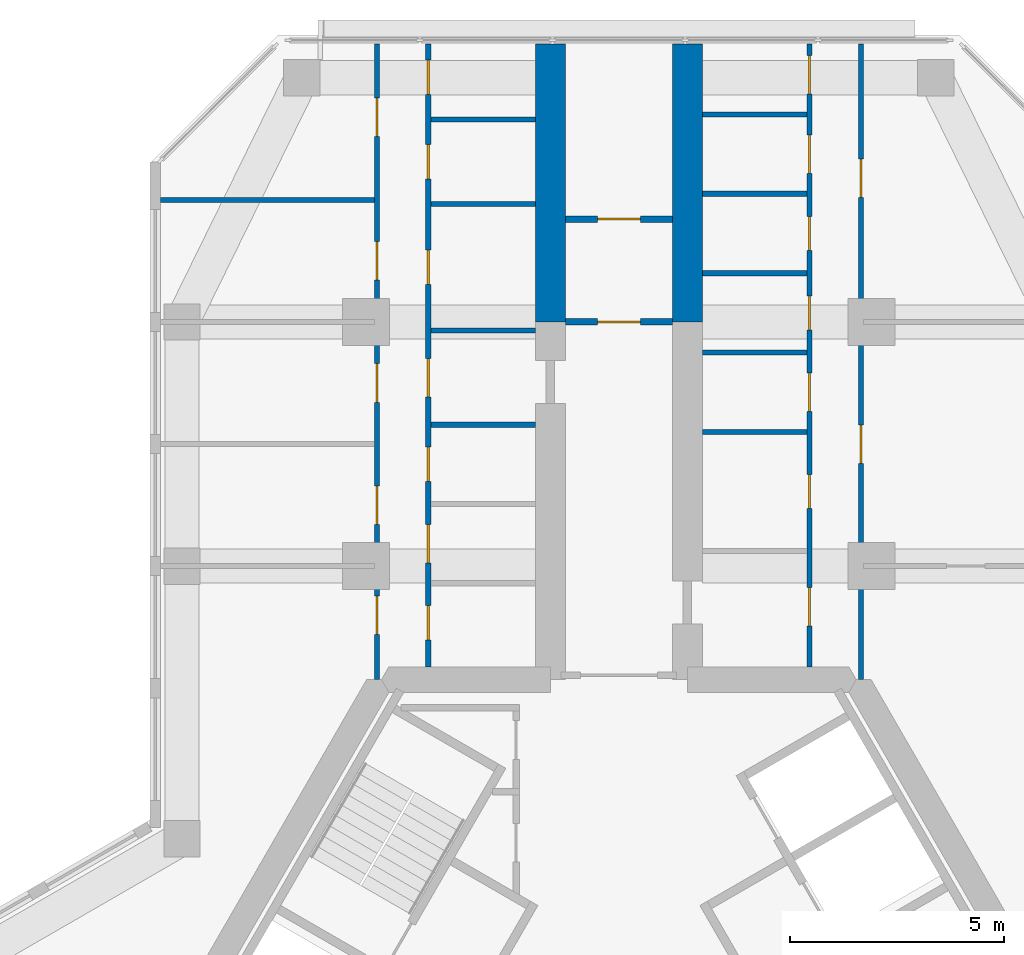
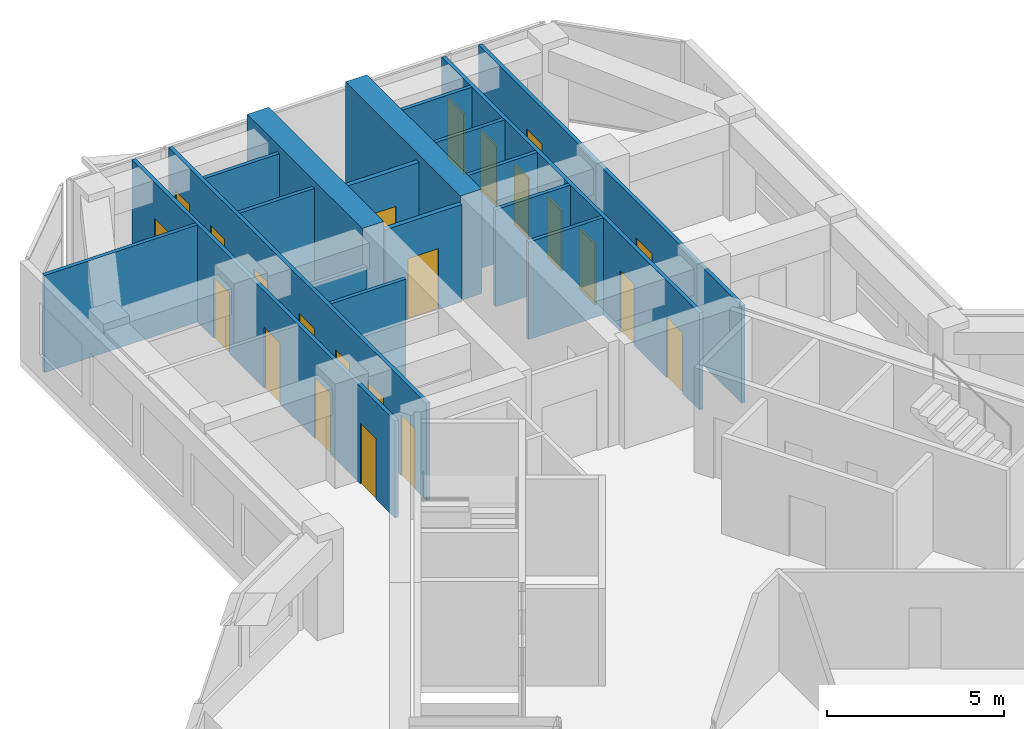
# One storey, part 14 of 16: 23 doors, 18 walls, 23 openings.
"""IFC4 building model written with IfcOpenShell, lengths in metres."""

from ifc_helpers import new_model, si_unit, direction, frame, frame_2d, origin, place, context, subcontext, project, spatial, rectangle, extrude, material, layer, layer_set, type_object, element, fill, save


model = new_model("IFC4")

# Units and contexts
model_context = context("Model", 3, precision=1e-05, world=origin(), true_north=direction((0.0, 1.0)))
body_context = subcontext(model_context, "Body", "Model", "MODEL_VIEW")
ifc_project = project(units=[si_unit("LENGTHUNIT", "METRE"), si_unit("AREAUNIT", "SQUARE_METRE"), si_unit("VOLUMEUNIT", "CUBIC_METRE"), si_unit("PLANEANGLEUNIT", "RADIAN"), si_unit("MASSUNIT", "GRAM", prefix="KILO")], contexts=[model_context])

# Site, building, storey
site_placement = place(None, origin())
site = spatial("IfcSite", under=ifc_project, at=site_placement, CompositionType="ELEMENT")
building_placement = place(site_placement, origin())
building = spatial("IfcBuilding", under=site, at=building_placement, Name="Kosmar Iwan School Tower", CompositionType="ELEMENT")
storey_placement = place(building_placement, frame((0.0, 0.0, 246.0)))
storey = spatial("IfcBuildingStorey", under=building, at=storey_placement, Name="L62", CompositionType="ELEMENT", Elevation=246.0)

# Walls
ifc_material_1 = material(Name="Concrete C50/60", Category="concrete")
ifc_layer_1 = layer(ifc_material_1, 0.699951171875)
ifc_layer_set_1 = layer_set([ifc_layer_1], Name="Corridor buttress wall 700")
wall_type_1 = type_object("IfcWallType", Name="Corridor buttress wall 700", PredefinedType="SHEAR", material=ifc_layer_set_1)
for number, where, z_axis, x_axis, name in (
    (1, (-1.60009765625, 17.949951171875, 0.0), (0.0, 0.0, 1.0), (0.0, 1.0, 0.0), "Corridor wall AL bay 2"),
    (2, (1.60009765625, 17.949951171875, 0.0), (0.0, 0.0, 1.0), (0.0, 1.0, 0.0), "Corridor wall AR bay 2"),
):
    element("IfcWall", number, at=place(storey_placement, frame(where, z_axis=z_axis, x_axis=x_axis)), inside=storey, type_object=wall_type_1, Name=name, PredefinedType="SHEAR", context=body_context, shape_type="SweptSolid", body=[
        extrude(rectangle(XDim=6.4951171875, YDim=0.699951171875, at=frame_2d((3.24755859375, 0.0))), origin(), (0.0, 0.0, 1.0), 3.60009765625),
    ])

# Wall, opening, door
ifc_material_2 = material(Name="Gypsum board on steel studs, fire-rated", Category="steel")
ifc_layer_2 = layer(ifc_material_2, 0.14990234375)
ifc_layer_set_2 = layer_set([ifc_layer_2], Name="Corridor end wall 150")
wall_type_2 = type_object("IfcWallType", Name="Corridor end wall 150", PredefinedType="PARTITIONING", material=ifc_layer_set_2)
wall_1_placement = place(storey_placement, frame((1.25, 20.35009765625, 0.0), z_axis=(0.0, 0.0, 1.0), x_axis=(-1.0, 0.0, 0.0)))
wall_1 = element("IfcWall", 3, at=wall_1_placement, inside=storey, type_object=wall_type_2, Name="Partition L62-A-CE", PredefinedType="PARTITIONING", context=body_context, shape_type="SweptSolid", body=[
    extrude(rectangle(XDim=2.5, YDim=0.14990234375, at=frame_2d((1.25, 0.0))), origin(), (0.0, 0.0, 1.0), 3.35009765625),
])
opening_1_placement = place(wall_1_placement, frame((0.75, 0.0, 0.0)))
opening_1 = element("IfcOpeningElement", 4, at=opening_1_placement, cuts=wall_1, Name="Opening D13", PredefinedType="OPENING", context=body_context, shape_type="SweptSolid", body=[
    extrude(rectangle(XDim=1.0, YDim=2.10009765625, at=frame_2d((0.5, 1.050048828125))), frame((0.0, 0.0869140625, 0.0), z_axis=(0.0, -1.0, 0.0), x_axis=(1.0, 0.0, 0.0)), (0.0, 0.0, 1.0), 0.173828125),
])
ifc_material_3 = material(Name="Timber fire door with vision panel", Category="wood")
door_type_1 = type_object("IfcDoorType", Name="Corridor end door 1000x2100", OperationType="SINGLE_SWING_LEFT", PredefinedType="DOOR", material=ifc_material_3)
door_1_placement = place(opening_1_placement, origin())
door_1 = element("IfcDoor", 5, at=door_1_placement, inside=storey, type_object=door_type_1, Name="Reading room door L62-A", OperationType="SINGLE_SWING_LEFT", OverallHeight=2.10009765625, OverallWidth=1.0, PredefinedType="DOOR", context=body_context, shape_type="SweptSolid", body=[
    extrude(rectangle(XDim=1.0, YDim=2.10009765625, at=frame_2d((0.5, 1.050048828125))), frame((0.0, 0.02490234375, 0.0), z_axis=(0.0, -1.0, 0.0), x_axis=(1.0, 0.0, 0.0)), (0.0, 0.0, 1.0), 0.050048828125),
])
fill(opening_1, door_1)

wall_2_placement = place(storey_placement, frame((1.25, 17.949951171875, 0.0), z_axis=(0.0, 0.0, 1.0), x_axis=(-1.0, 0.0, 0.0)))
wall_2 = element("IfcWall", 6, at=wall_2_placement, inside=storey, type_object=wall_type_2, Name="Partition L62-A-HW", PredefinedType="PARTITIONING", context=body_context, shape_type="SweptSolid", body=[
    extrude(rectangle(XDim=2.5, YDim=0.14990234375, at=frame_2d((1.25, 0.0))), origin(), (0.0, 0.0, 1.0), 3.35009765625),
])
opening_2_placement = place(wall_2_placement, frame((0.75, 0.0, 0.0)))
opening_2 = element("IfcOpeningElement", 7, at=opening_2_placement, cuts=wall_2, Name="Opening D13", PredefinedType="OPENING", context=body_context, shape_type="SweptSolid", body=[
    extrude(rectangle(XDim=1.0, YDim=2.10009765625, at=frame_2d((0.5, 1.050048828125))), frame((0.0, 0.0869140625, 0.0), z_axis=(0.0, -1.0, 0.0), x_axis=(1.0, 0.0, 0.0)), (0.0, 0.0, 1.0), 0.173828125),
])
door_2_placement = place(opening_2_placement, origin())
door_2 = element("IfcDoor", 8, at=door_2_placement, inside=storey, type_object=door_type_1, Name="Entrance door L62-A", OperationType="SINGLE_SWING_RIGHT", OverallHeight=2.10009765625, OverallWidth=1.0, PredefinedType="DOOR", context=body_context, shape_type="SweptSolid", body=[
    extrude(rectangle(XDim=1.0, YDim=2.10009765625, at=frame_2d((0.5, 1.050048828125))), frame((0.0, 0.02490234375, 0.0), z_axis=(0.0, -1.0, 0.0), x_axis=(1.0, 0.0, 0.0)), (0.0, 0.0, 1.0), 0.050048828125),
])
fill(opening_2, door_2)

# Wall, openings, doors
ifc_material_4 = material(Name="Gypsum board on steel studs", Category="steel")
ifc_layer_3 = layer(ifc_material_4, 0.1201171875)
ifc_layer_set_3 = layer_set([ifc_layer_3], Name="Dwelling partition 120")
wall_type_3 = type_object("IfcWallType", Name="Dwelling partition 120", PredefinedType="PARTITIONING", material=ifc_layer_set_3)
wall_3_placement = place(storey_placement, frame((-4.449951171875, 9.89990234375, 0.0), z_axis=(0.0, 0.0, 1.0), x_axis=(0.0, 1.0, 0.0)))
wall_3 = element("IfcWall", 9, at=wall_3_placement, inside=storey, type_object=wall_type_3, Name="Partition L62-AL1-W1", PredefinedType="PARTITIONING", context=body_context, shape_type="SweptSolid", body=[
    extrude(rectangle(XDim=14.545166015625, YDim=0.1201171875, at=frame_2d((7.2724609375, 0.0))), origin(), (0.0, 0.0, 1.0), 3.35009765625),
])
opening_3_placement = place(wall_3_placement, frame((0.625, 0.0, 0.0)))
opening_3 = element("IfcOpeningElement", 10, at=opening_3_placement, cuts=wall_3, Name="Opening D3", PredefinedType="OPENING", context=body_context, shape_type="SweptSolid", body=[
    extrude(rectangle(XDim=0.800048828125, YDim=2.10009765625, at=frame_2d((0.39990234375, 1.050048828125))), frame((0.0, 0.072021484375, 0.0), z_axis=(0.0, -1.0, 0.0), x_axis=(1.0, 0.0, 0.0)), (0.0, 0.0, 1.0), 0.14404296875),
])
opening_4_placement = place(wall_3_placement, frame((2.425048828125, 0.0, 0.0)))
opening_4 = element("IfcOpeningElement", 11, at=opening_4_placement, cuts=wall_3, Name="Opening D2", PredefinedType="OPENING", context=body_context, shape_type="SweptSolid", body=[
    extrude(rectangle(XDim=0.89990234375, YDim=2.10009765625, at=frame_2d((0.449951171875, 1.050048828125))), frame((0.0, 0.072021484375, 0.0), z_axis=(0.0, -1.0, 0.0), x_axis=(1.0, 0.0, 0.0)), (0.0, 0.0, 1.0), 0.14404296875),
])
opening_5_placement = place(wall_3_placement, frame((4.324951171875, 0.0, 0.0)))
opening_5 = element("IfcOpeningElement", 12, at=opening_5_placement, cuts=wall_3, Name="Opening D3", PredefinedType="OPENING", context=body_context, shape_type="SweptSolid", body=[
    extrude(rectangle(XDim=0.800048828125, YDim=2.10009765625, at=frame_2d((0.39990234375, 1.050048828125))), frame((0.0, 0.072021484375, 0.0), z_axis=(0.0, -1.0, 0.0), x_axis=(1.0, 0.0, 0.0)), (0.0, 0.0, 1.0), 0.14404296875),
])
opening_6_placement = place(wall_3_placement, frame((6.300048828125, 0.0, 0.0)))
opening_6 = element("IfcOpeningElement", 13, at=opening_6_placement, cuts=wall_3, Name="Opening D2", PredefinedType="OPENING", context=body_context, shape_type="SweptSolid", body=[
    extrude(rectangle(XDim=0.89990234375, YDim=2.10009765625, at=frame_2d((0.449951171875, 1.050048828125))), frame((0.0, 0.072021484375, 0.0), z_axis=(0.0, -1.0, 0.0), x_axis=(1.0, 0.0, 0.0)), (0.0, 0.0, 1.0), 0.14404296875),
])
opening_7_placement = place(wall_3_placement, frame((8.928466796875, 0.0, 0.0)))
opening_7 = element("IfcOpeningElement", 14, at=opening_7_placement, cuts=wall_3, Name="Opening D3", PredefinedType="OPENING", context=body_context, shape_type="SweptSolid", body=[
    extrude(rectangle(XDim=0.800048828125, YDim=2.10009765625, at=frame_2d((0.39990234375, 1.050048828125))), frame((0.0, 0.072021484375, 0.0), z_axis=(0.0, -1.0, 0.0), x_axis=(1.0, 0.0, 0.0)), (0.0, 0.0, 1.0), 0.14404296875),
])
opening_8_placement = place(wall_3_placement, frame((11.392822265625, 0.0, 0.0)))
opening_8 = element("IfcOpeningElement", 15, at=opening_8_placement, cuts=wall_3, Name="Opening D3", PredefinedType="OPENING", context=body_context, shape_type="SweptSolid", body=[
    extrude(rectangle(XDim=0.800048828125, YDim=2.10009765625, at=frame_2d((0.39990234375, 1.050048828125))), frame((0.0, 0.072021484375, 0.0), z_axis=(0.0, -1.0, 0.0), x_axis=(1.0, 0.0, 0.0)), (0.0, 0.0, 1.0), 0.14404296875),
])
opening_9_placement = place(wall_3_placement, frame((13.3642578125, 0.0, 0.0)))
opening_9 = element("IfcOpeningElement", 16, at=opening_9_placement, cuts=wall_3, Name="Opening D3", PredefinedType="OPENING", context=body_context, shape_type="SweptSolid", body=[
    extrude(rectangle(XDim=0.800048828125, YDim=2.10009765625, at=frame_2d((0.39990234375, 1.050048828125))), frame((0.0, 0.072021484375, 0.0), z_axis=(0.0, -1.0, 0.0), x_axis=(1.0, 0.0, 0.0)), (0.0, 0.0, 1.0), 0.14404296875),
])
ifc_material_5 = material(Name="Timber door in timber frame", Category="wood")
door_type_2 = type_object("IfcDoorType", Name="Internal door 900x2100", OperationType="SINGLE_SWING_LEFT", PredefinedType="DOOR", material=ifc_material_5)
door_3_placement = place(opening_4_placement, origin())
door_3 = element("IfcDoor", 17, at=door_3_placement, inside=storey, type_object=door_type_2, Name="Pantry door L62-AL1-S2", OperationType="SINGLE_SWING_RIGHT", OverallHeight=2.10009765625, OverallWidth=0.89990234375, PredefinedType="DOOR", context=body_context, shape_type="SweptSolid", body=[
    extrude(rectangle(XDim=0.89990234375, YDim=2.10009765625, at=frame_2d((0.449951171875, 1.050048828125))), frame((0.0, 0.02490234375, 0.0), z_axis=(0.0, -1.0, 0.0), x_axis=(1.0, 0.0, 0.0)), (0.0, 0.0, 1.0), 0.050048828125),
])
fill(opening_4, door_3)
door_4_placement = place(opening_6_placement, origin())
door_4 = element("IfcDoor", 18, at=door_4_placement, inside=storey, type_object=door_type_2, Name="Entrance hall door L62-AL1-S4", OperationType="SINGLE_SWING_LEFT", OverallHeight=2.10009765625, OverallWidth=0.89990234375, PredefinedType="DOOR", context=body_context, shape_type="SweptSolid", body=[
    extrude(rectangle(XDim=0.89990234375, YDim=2.10009765625, at=frame_2d((0.449951171875, 1.050048828125))), frame((0.0, 0.02490234375, 0.0), z_axis=(0.0, -1.0, 0.0), x_axis=(1.0, 0.0, 0.0)), (0.0, 0.0, 1.0), 0.050048828125),
])
fill(opening_6, door_4)
ifc_material_6 = material(Name="Timber door in timber frame", Category="wood")
door_type_3 = type_object("IfcDoorType", Name="Sanitary room door 800x2100", OperationType="SINGLE_SWING_LEFT", PredefinedType="DOOR", material=ifc_material_6)
door_5_placement = place(opening_3_placement, origin())
door_5 = element("IfcDoor", 19, at=door_5_placement, inside=storey, type_object=door_type_3, Name="Store door L62-AL1-S1", OperationType="SINGLE_SWING_LEFT", OverallHeight=2.10009765625, OverallWidth=0.800048828125, PredefinedType="DOOR", context=body_context, shape_type="SweptSolid", body=[
    extrude(rectangle(XDim=0.800048828125, YDim=2.10009765625, at=frame_2d((0.39990234375, 1.050048828125))), frame((0.0, 0.02490234375, 0.0), z_axis=(0.0, -1.0, 0.0), x_axis=(1.0, 0.0, 0.0)), (0.0, 0.0, 1.0), 0.050048828125),
])
fill(opening_3, door_5)
door_6_placement = place(opening_5_placement, origin())
door_6 = element("IfcDoor", 20, at=door_6_placement, inside=storey, type_object=door_type_3, Name="Grandparents' shower room door L62-AL1-S3", OperationType="SINGLE_SWING_LEFT", OverallHeight=2.10009765625, OverallWidth=0.800048828125, PredefinedType="DOOR", context=body_context, shape_type="SweptSolid", body=[
    extrude(rectangle(XDim=0.800048828125, YDim=2.10009765625, at=frame_2d((0.39990234375, 1.050048828125))), frame((0.0, 0.02490234375, 0.0), z_axis=(0.0, -1.0, 0.0), x_axis=(1.0, 0.0, 0.0)), (0.0, 0.0, 1.0), 0.050048828125),
])
fill(opening_5, door_6)
door_7_placement = place(opening_7_placement, origin())
door_7 = element("IfcDoor", 21, at=door_7_placement, inside=storey, type_object=door_type_3, Name="Bathroom door L62-AL1-S5", OperationType="SINGLE_SWING_RIGHT", OverallHeight=2.10009765625, OverallWidth=0.800048828125, PredefinedType="DOOR", context=body_context, shape_type="SweptSolid", body=[
    extrude(rectangle(XDim=0.800048828125, YDim=2.10009765625, at=frame_2d((0.39990234375, 1.050048828125))), frame((0.0, 0.02490234375, 0.0), z_axis=(0.0, -1.0, 0.0), x_axis=(1.0, 0.0, 0.0)), (0.0, 0.0, 1.0), 0.050048828125),
])
fill(opening_7, door_7)
door_8_placement = place(opening_8_placement, origin())
door_8 = element("IfcDoor", 22, at=door_8_placement, inside=storey, type_object=door_type_3, Name="Shower room door L62-AL1-S6", OperationType="SINGLE_SWING_RIGHT", OverallHeight=2.10009765625, OverallWidth=0.800048828125, PredefinedType="DOOR", context=body_context, shape_type="SweptSolid", body=[
    extrude(rectangle(XDim=0.800048828125, YDim=2.10009765625, at=frame_2d((0.39990234375, 1.050048828125))), frame((0.0, 0.02490234375, 0.0), z_axis=(0.0, -1.0, 0.0), x_axis=(1.0, 0.0, 0.0)), (0.0, 0.0, 1.0), 0.050048828125),
])
fill(opening_8, door_8)
door_9_placement = place(opening_9_placement, origin())
door_9 = element("IfcDoor", 23, at=door_9_placement, inside=storey, type_object=door_type_3, Name="WC door L62-AL1-S7", OperationType="SINGLE_SWING_RIGHT", OverallHeight=2.10009765625, OverallWidth=0.800048828125, PredefinedType="DOOR", context=body_context, shape_type="SweptSolid", body=[
    extrude(rectangle(XDim=0.800048828125, YDim=2.10009765625, at=frame_2d((0.39990234375, 1.050048828125))), frame((0.0, 0.02490234375, 0.0), z_axis=(0.0, -1.0, 0.0), x_axis=(1.0, 0.0, 0.0)), (0.0, 0.0, 1.0), 0.050048828125),
])
fill(opening_9, door_9)

wall_4_placement = place(storey_placement, frame((-5.64990234375, 9.60009765625, 0.0), z_axis=(0.0, 0.0, 1.0), x_axis=(0.0, 1.0, 0.0)))
wall_4 = element("IfcWall", 24, at=wall_4_placement, inside=storey, type_object=wall_type_3, Name="Partition L62-AL1-W2", PredefinedType="PARTITIONING", context=body_context, shape_type="SweptSolid", body=[
    extrude(rectangle(XDim=14.844970703125, YDim=0.1201171875, at=frame_2d((7.42236328125, 0.0))), origin(), (0.0, 0.0, 1.0), 3.35009765625),
])
opening_10_placement = place(wall_4_placement, frame((1.050048828125, 0.0, 0.0)))
opening_10 = element("IfcOpeningElement", 25, at=opening_10_placement, cuts=wall_4, Name="Opening D2", PredefinedType="OPENING", context=body_context, shape_type="SweptSolid", body=[
    extrude(rectangle(XDim=0.89990234375, YDim=2.10009765625, at=frame_2d((0.449951171875, 1.050048828125))), frame((0.0, 0.072021484375, 0.0), z_axis=(0.0, -1.0, 0.0), x_axis=(1.0, 0.0, 0.0)), (0.0, 0.0, 1.0), 0.14404296875),
])
opening_11_placement = place(wall_4_placement, frame((3.625, 0.0, 0.0)))
opening_11 = element("IfcOpeningElement", 26, at=opening_11_placement, cuts=wall_4, Name="Opening D2", PredefinedType="OPENING", context=body_context, shape_type="SweptSolid", body=[
    extrude(rectangle(XDim=0.89990234375, YDim=2.10009765625, at=frame_2d((0.449951171875, 1.050048828125))), frame((0.0, 0.072021484375, 0.0), z_axis=(0.0, -1.0, 0.0), x_axis=(1.0, 0.0, 0.0)), (0.0, 0.0, 1.0), 0.14404296875),
])
opening_12_placement = place(wall_4_placement, frame((6.47509765625, 0.0, 0.0)))
opening_12 = element("IfcOpeningElement", 27, at=opening_12_placement, cuts=wall_4, Name="Opening D2", PredefinedType="OPENING", context=body_context, shape_type="SweptSolid", body=[
    extrude(rectangle(XDim=0.89990234375, YDim=2.10009765625, at=frame_2d((0.449951171875, 1.050048828125))), frame((0.0, 0.072021484375, 0.0), z_axis=(0.0, -1.0, 0.0), x_axis=(1.0, 0.0, 0.0)), (0.0, 0.0, 1.0), 0.14404296875),
])
opening_13_placement = place(wall_4_placement, frame((9.324951171875, 0.0, 0.0)))
opening_13 = element("IfcOpeningElement", 28, at=opening_13_placement, cuts=wall_4, Name="Opening D2", PredefinedType="OPENING", context=body_context, shape_type="SweptSolid", body=[
    extrude(rectangle(XDim=0.89990234375, YDim=2.10009765625, at=frame_2d((0.449951171875, 1.050048828125))), frame((0.0, 0.072021484375, 0.0), z_axis=(0.0, -1.0, 0.0), x_axis=(1.0, 0.0, 0.0)), (0.0, 0.0, 1.0), 0.14404296875),
])
opening_14_placement = place(wall_4_placement, frame((12.675048828125, 0.0, 0.0)))
opening_14 = element("IfcOpeningElement", 29, at=opening_14_placement, cuts=wall_4, Name="Opening D2", PredefinedType="OPENING", context=body_context, shape_type="SweptSolid", body=[
    extrude(rectangle(XDim=0.89990234375, YDim=2.10009765625, at=frame_2d((0.449951171875, 1.050048828125))), frame((0.0, 0.072021484375, 0.0), z_axis=(0.0, -1.0, 0.0), x_axis=(1.0, 0.0, 0.0)), (0.0, 0.0, 1.0), 0.14404296875),
])
door_10_placement = place(opening_10_placement, origin())
door_10 = element("IfcDoor", 30, at=door_10_placement, inside=storey, type_object=door_type_2, Name="Living room and kitchen door L62-AL1-F1", OperationType="SINGLE_SWING_LEFT", OverallHeight=2.10009765625, OverallWidth=0.89990234375, PredefinedType="DOOR", context=body_context, shape_type="SweptSolid", body=[
    extrude(rectangle(XDim=0.89990234375, YDim=2.10009765625, at=frame_2d((0.449951171875, 1.050048828125))), frame((0.0, 0.02490234375, 0.0), z_axis=(0.0, -1.0, 0.0), x_axis=(1.0, 0.0, 0.0)), (0.0, 0.0, 1.0), 0.050048828125),
])
fill(opening_10, door_10)
door_11_placement = place(opening_11_placement, origin())
door_11 = element("IfcDoor", 31, at=door_11_placement, inside=storey, type_object=door_type_2, Name="Study door L62-AL1-F2", OperationType="SINGLE_SWING_RIGHT", OverallHeight=2.10009765625, OverallWidth=0.89990234375, PredefinedType="DOOR", context=body_context, shape_type="SweptSolid", body=[
    extrude(rectangle(XDim=0.89990234375, YDim=2.10009765625, at=frame_2d((0.449951171875, 1.050048828125))), frame((0.0, 0.02490234375, 0.0), z_axis=(0.0, -1.0, 0.0), x_axis=(1.0, 0.0, 0.0)), (0.0, 0.0, 1.0), 0.050048828125),
])
fill(opening_11, door_11)
door_12_placement = place(opening_12_placement, origin())
door_12 = element("IfcDoor", 32, at=door_12_placement, inside=storey, type_object=door_type_2, Name="Bedroom 2 door L62-AL1-F3", OperationType="SINGLE_SWING_LEFT", OverallHeight=2.10009765625, OverallWidth=0.89990234375, PredefinedType="DOOR", context=body_context, shape_type="SweptSolid", body=[
    extrude(rectangle(XDim=0.89990234375, YDim=2.10009765625, at=frame_2d((0.449951171875, 1.050048828125))), frame((0.0, 0.02490234375, 0.0), z_axis=(0.0, -1.0, 0.0), x_axis=(1.0, 0.0, 0.0)), (0.0, 0.0, 1.0), 0.050048828125),
])
fill(opening_12, door_12)
door_13_placement = place(opening_13_placement, origin())
door_13 = element("IfcDoor", 33, at=door_13_placement, inside=storey, type_object=door_type_2, Name="Grandparents' suite door L62-AL1-F4", OperationType="SINGLE_SWING_RIGHT", OverallHeight=2.10009765625, OverallWidth=0.89990234375, PredefinedType="DOOR", context=body_context, shape_type="SweptSolid", body=[
    extrude(rectangle(XDim=0.89990234375, YDim=2.10009765625, at=frame_2d((0.449951171875, 1.050048828125))), frame((0.0, 0.02490234375, 0.0), z_axis=(0.0, -1.0, 0.0), x_axis=(1.0, 0.0, 0.0)), (0.0, 0.0, 1.0), 0.050048828125),
])
fill(opening_13, door_13)
door_14_placement = place(opening_14_placement, origin())
door_14 = element("IfcDoor", 34, at=door_14_placement, inside=storey, type_object=door_type_2, Name="Bedroom 1 door L62-AL1-F5", OperationType="SINGLE_SWING_RIGHT", OverallHeight=2.10009765625, OverallWidth=0.89990234375, PredefinedType="DOOR", context=body_context, shape_type="SweptSolid", body=[
    extrude(rectangle(XDim=0.89990234375, YDim=2.10009765625, at=frame_2d((0.449951171875, 1.050048828125))), frame((0.0, 0.02490234375, 0.0), z_axis=(0.0, -1.0, 0.0), x_axis=(1.0, 0.0, 0.0)), (0.0, 0.0, 1.0), 0.050048828125),
])
fill(opening_14, door_14)

# Walls
wall_5_placement = place(storey_placement, frame((-5.7099609375, 20.800048828125, 0.0), z_axis=(0.0, 0.0, 1.0), x_axis=(-1.0, 0.0, 0.0)))
element("IfcWall", 35, at=wall_5_placement, inside=storey, type_object=wall_type_3, Name="Partition L62-AL1-X4", PredefinedType="PARTITIONING", context=body_context, shape_type="SweptSolid", body=[
    extrude(rectangle(XDim=4.989990234375, YDim=0.1201171875, at=frame_2d((2.4951171875, 0.0))), origin(), (0.0, 0.0, 1.0), 3.35009765625),
])
wall_6_placement = place(storey_placement, frame((-1.949951171875, 15.550048828125, 0.0), z_axis=(0.0, 0.0, 1.0), x_axis=(-1.0, 0.0, 0.0)))
element("IfcWall", 36, at=wall_6_placement, inside=storey, type_object=wall_type_3, Name="Partition L62-AL1-Y3", PredefinedType="PARTITIONING", context=body_context, shape_type="SweptSolid", body=[
    extrude(rectangle(XDim=2.43994140625, YDim=0.1201171875, at=frame_2d((1.219970703125, 0.0))), origin(), (0.0, 0.0, 1.0), 3.35009765625),
])
wall_7_placement = place(storey_placement, frame((-1.949951171875, 17.75, 0.0), z_axis=(0.0, 0.0, 1.0), x_axis=(-1.0, 0.0, 0.0)))
element("IfcWall", 37, at=wall_7_placement, inside=storey, type_object=wall_type_3, Name="Partition L62-AL1-Y4", PredefinedType="PARTITIONING", context=body_context, shape_type="SweptSolid", body=[
    extrude(rectangle(XDim=2.43994140625, YDim=0.1201171875, at=frame_2d((1.219970703125, 0.0))), origin(), (0.0, 0.0, 1.0), 2.449951171875),
])
for number, where, z_axis, x_axis, name in (
    (38, (-1.949951171875, 20.70703125, 0.0), (0.0, 0.0, 1.0), (-1.0, 0.0, 0.0), "Partition L62-AL1-Y5"),
    (39, (-1.949951171875, 22.678466796875, 0.0), (0.0, 0.0, 1.0), (-1.0, 0.0, 0.0), "Partition L62-AL1-Y6"),
):
    element("IfcWall", number, at=place(storey_placement, frame(where, z_axis=z_axis, x_axis=x_axis)), inside=storey, type_object=wall_type_3, Name=name, PredefinedType="PARTITIONING", context=body_context, shape_type="SweptSolid", body=[
        extrude(rectangle(XDim=2.43994140625, YDim=0.1201171875, at=frame_2d((1.219970703125, 0.0))), origin(), (0.0, 0.0, 1.0), 3.35009765625),
    ])

# Wall, openings, doors
wall_8_placement = place(storey_placement, frame((4.449951171875, 9.89990234375, 0.0), z_axis=(0.0, 0.0, 1.0), x_axis=(0.0, 1.0, 0.0)))
wall_8 = element("IfcWall", 40, at=wall_8_placement, inside=storey, type_object=wall_type_3, Name="Partition L62-AR1-W1", PredefinedType="PARTITIONING", context=body_context, shape_type="SweptSolid", body=[
    extrude(rectangle(XDim=14.545166015625, YDim=0.1201171875, at=frame_2d((7.2724609375, 0.0))), origin(), (0.0, 0.0, 1.0), 3.35009765625),
])
opening_15_placement = place(wall_8_placement, frame((0.949951171875, 0.0, 0.0)))
opening_15 = element("IfcOpeningElement", 41, at=opening_15_placement, cuts=wall_8, Name="Opening D2", PredefinedType="OPENING", context=body_context, shape_type="SweptSolid", body=[
    extrude(rectangle(XDim=0.89990234375, YDim=2.10009765625, at=frame_2d((0.449951171875, 1.050048828125))), frame((0.0, 0.072021484375, 0.0), z_axis=(0.0, -1.0, 0.0), x_axis=(1.0, 0.0, 0.0)), (0.0, 0.0, 1.0), 0.14404296875),
])
opening_16_placement = place(wall_8_placement, frame((3.6904296875, 0.0, 0.0)))
opening_16 = element("IfcOpeningElement", 42, at=opening_16_placement, cuts=wall_8, Name="Opening D3", PredefinedType="OPENING", context=body_context, shape_type="SweptSolid", body=[
    extrude(rectangle(XDim=0.800048828125, YDim=2.10009765625, at=frame_2d((0.39990234375, 1.050048828125))), frame((0.0, 0.072021484375, 0.0), z_axis=(0.0, -1.0, 0.0), x_axis=(1.0, 0.0, 0.0)), (0.0, 0.0, 1.0), 0.14404296875),
])
opening_17_placement = place(wall_8_placement, frame((5.957763671875, 0.0, 0.0)))
opening_17 = element("IfcOpeningElement", 43, at=opening_17_placement, cuts=wall_8, Name="Opening D2", PredefinedType="OPENING", context=body_context, shape_type="SweptSolid", body=[
    extrude(rectangle(XDim=0.89990234375, YDim=2.10009765625, at=frame_2d((0.449951171875, 1.050048828125))), frame((0.0, 0.072021484375, 0.0), z_axis=(0.0, -1.0, 0.0), x_axis=(1.0, 0.0, 0.0)), (0.0, 0.0, 1.0), 0.14404296875),
])
opening_18_placement = place(wall_8_placement, frame((7.861572265625, 0.0, 0.0)))
opening_18 = element("IfcOpeningElement", 44, at=opening_18_placement, cuts=wall_8, Name="Opening D3", PredefinedType="OPENING", context=body_context, shape_type="SweptSolid", body=[
    extrude(rectangle(XDim=0.800048828125, YDim=2.10009765625, at=frame_2d((0.39990234375, 1.050048828125))), frame((0.0, 0.072021484375, 0.0), z_axis=(0.0, -1.0, 0.0), x_axis=(1.0, 0.0, 0.0)), (0.0, 0.0, 1.0), 0.14404296875),
])
opening_19_placement = place(wall_8_placement, frame((9.71533203125, 0.0, 0.0)))
opening_19 = element("IfcOpeningElement", 45, at=opening_19_placement, cuts=wall_8, Name="Opening D3", PredefinedType="OPENING", context=body_context, shape_type="SweptSolid", body=[
    extrude(rectangle(XDim=0.800048828125, YDim=2.10009765625, at=frame_2d((0.39990234375, 1.050048828125))), frame((0.0, 0.072021484375, 0.0), z_axis=(0.0, -1.0, 0.0), x_axis=(1.0, 0.0, 0.0)), (0.0, 0.0, 1.0), 0.14404296875),
])
opening_20_placement = place(wall_8_placement, frame((11.519287109375, 0.0, 0.0)))
opening_20 = element("IfcOpeningElement", 46, at=opening_20_placement, cuts=wall_8, Name="Opening D2", PredefinedType="OPENING", context=body_context, shape_type="SweptSolid", body=[
    extrude(rectangle(XDim=0.89990234375, YDim=2.10009765625, at=frame_2d((0.449951171875, 1.050048828125))), frame((0.0, 0.072021484375, 0.0), z_axis=(0.0, -1.0, 0.0), x_axis=(1.0, 0.0, 0.0)), (0.0, 0.0, 1.0), 0.14404296875),
])
opening_21_placement = place(wall_8_placement, frame((13.373046875, 0.0, 0.0)))
opening_21 = element("IfcOpeningElement", 47, at=opening_21_placement, cuts=wall_8, Name="Opening D2", PredefinedType="OPENING", context=body_context, shape_type="SweptSolid", body=[
    extrude(rectangle(XDim=0.89990234375, YDim=2.10009765625, at=frame_2d((0.449951171875, 1.050048828125))), frame((0.0, 0.072021484375, 0.0), z_axis=(0.0, -1.0, 0.0), x_axis=(1.0, 0.0, 0.0)), (0.0, 0.0, 1.0), 0.14404296875),
])
door_15_placement = place(opening_15_placement, origin())
door_15 = element("IfcDoor", 48, at=door_15_placement, inside=storey, type_object=door_type_2, Name="Entrance hall door L62-AR1-S1", OperationType="SINGLE_SWING_LEFT", OverallHeight=2.10009765625, OverallWidth=0.89990234375, PredefinedType="DOOR", context=body_context, shape_type="SweptSolid", body=[
    extrude(rectangle(XDim=0.89990234375, YDim=2.10009765625, at=frame_2d((0.449951171875, 1.050048828125))), frame((0.0, 0.02490234375, 0.0), z_axis=(0.0, -1.0, 0.0), x_axis=(1.0, 0.0, 0.0)), (0.0, 0.0, 1.0), 0.050048828125),
])
fill(opening_15, door_15)
door_16_placement = place(opening_17_placement, origin())
door_16 = element("IfcDoor", 49, at=door_16_placement, inside=storey, type_object=door_type_2, Name="Pantry door L62-AR1-S3", OperationType="SINGLE_SWING_LEFT", OverallHeight=2.10009765625, OverallWidth=0.89990234375, PredefinedType="DOOR", context=body_context, shape_type="SweptSolid", body=[
    extrude(rectangle(XDim=0.89990234375, YDim=2.10009765625, at=frame_2d((0.449951171875, 1.050048828125))), frame((0.0, 0.02490234375, 0.0), z_axis=(0.0, -1.0, 0.0), x_axis=(1.0, 0.0, 0.0)), (0.0, 0.0, 1.0), 0.050048828125),
])
fill(opening_17, door_16)
door_17_placement = place(opening_20_placement, origin())
door_17 = element("IfcDoor", 50, at=door_17_placement, inside=storey, type_object=door_type_2, Name="Utility room door L62-AR1-S6", OperationType="SINGLE_SWING_RIGHT", OverallHeight=2.10009765625, OverallWidth=0.89990234375, PredefinedType="DOOR", context=body_context, shape_type="SweptSolid", body=[
    extrude(rectangle(XDim=0.89990234375, YDim=2.10009765625, at=frame_2d((0.449951171875, 1.050048828125))), frame((0.0, 0.02490234375, 0.0), z_axis=(0.0, -1.0, 0.0), x_axis=(1.0, 0.0, 0.0)), (0.0, 0.0, 1.0), 0.050048828125),
])
fill(opening_20, door_17)
door_18_placement = place(opening_21_placement, origin())
door_18 = element("IfcDoor", 51, at=door_18_placement, inside=storey, type_object=door_type_2, Name="Dressing room door L62-AR1-S7", OperationType="SINGLE_SWING_RIGHT", OverallHeight=2.10009765625, OverallWidth=0.89990234375, PredefinedType="DOOR", context=body_context, shape_type="SweptSolid", body=[
    extrude(rectangle(XDim=0.89990234375, YDim=2.10009765625, at=frame_2d((0.449951171875, 1.050048828125))), frame((0.0, 0.02490234375, 0.0), z_axis=(0.0, -1.0, 0.0), x_axis=(1.0, 0.0, 0.0)), (0.0, 0.0, 1.0), 0.050048828125),
])
fill(opening_21, door_18)
door_19_placement = place(opening_16_placement, origin())
door_19 = element("IfcDoor", 52, at=door_19_placement, inside=storey, type_object=door_type_3, Name="Bathroom door L62-AR1-S2", OperationType="SINGLE_SWING_RIGHT", OverallHeight=2.10009765625, OverallWidth=0.800048828125, PredefinedType="DOOR", context=body_context, shape_type="SweptSolid", body=[
    extrude(rectangle(XDim=0.800048828125, YDim=2.10009765625, at=frame_2d((0.39990234375, 1.050048828125))), frame((0.0, 0.02490234375, 0.0), z_axis=(0.0, -1.0, 0.0), x_axis=(1.0, 0.0, 0.0)), (0.0, 0.0, 1.0), 0.050048828125),
])
fill(opening_16, door_19)
door_20_placement = place(opening_18_placement, origin())
door_20 = element("IfcDoor", 53, at=door_20_placement, inside=storey, type_object=door_type_3, Name="WC door L62-AR1-S4", OperationType="SINGLE_SWING_RIGHT", OverallHeight=2.10009765625, OverallWidth=0.800048828125, PredefinedType="DOOR", context=body_context, shape_type="SweptSolid", body=[
    extrude(rectangle(XDim=0.800048828125, YDim=2.10009765625, at=frame_2d((0.39990234375, 1.050048828125))), frame((0.0, 0.02490234375, 0.0), z_axis=(0.0, -1.0, 0.0), x_axis=(1.0, 0.0, 0.0)), (0.0, 0.0, 1.0), 0.050048828125),
])
fill(opening_18, door_20)
door_21_placement = place(opening_19_placement, origin())
door_21 = element("IfcDoor", 54, at=door_21_placement, inside=storey, type_object=door_type_3, Name="Store door L62-AR1-S5", OperationType="SINGLE_SWING_LEFT", OverallHeight=2.10009765625, OverallWidth=0.800048828125, PredefinedType="DOOR", context=body_context, shape_type="SweptSolid", body=[
    extrude(rectangle(XDim=0.800048828125, YDim=2.10009765625, at=frame_2d((0.39990234375, 1.050048828125))), frame((0.0, 0.02490234375, 0.0), z_axis=(0.0, -1.0, 0.0), x_axis=(1.0, 0.0, 0.0)), (0.0, 0.0, 1.0), 0.050048828125),
])
fill(opening_19, door_21)

wall_9_placement = place(storey_placement, frame((5.64990234375, 9.60009765625, 0.0), z_axis=(0.0, 0.0, 1.0), x_axis=(0.0, 1.0, 0.0)))
wall_9 = element("IfcWall", 55, at=wall_9_placement, inside=storey, type_object=wall_type_3, Name="Partition L62-AR1-W2", PredefinedType="PARTITIONING", context=body_context, shape_type="SweptSolid", body=[
    extrude(rectangle(XDim=14.844970703125, YDim=0.1201171875, at=frame_2d((7.42236328125, 0.0))), origin(), (0.0, 0.0, 1.0), 3.35009765625),
])
opening_22_placement = place(wall_9_placement, frame((5.050048828125, 0.0, 0.0)))
opening_22 = element("IfcOpeningElement", 56, at=opening_22_placement, cuts=wall_9, Name="Opening D2", PredefinedType="OPENING", context=body_context, shape_type="SweptSolid", body=[
    extrude(rectangle(XDim=0.89990234375, YDim=2.10009765625, at=frame_2d((0.449951171875, 1.050048828125))), frame((0.0, 0.072021484375, 0.0), z_axis=(0.0, -1.0, 0.0), x_axis=(1.0, 0.0, 0.0)), (0.0, 0.0, 1.0), 0.14404296875),
])
opening_23_placement = place(wall_9_placement, frame((11.25, 0.0, 0.0)))
opening_23 = element("IfcOpeningElement", 57, at=opening_23_placement, cuts=wall_9, Name="Opening D2", PredefinedType="OPENING", context=body_context, shape_type="SweptSolid", body=[
    extrude(rectangle(XDim=0.89990234375, YDim=2.10009765625, at=frame_2d((0.449951171875, 1.050048828125))), frame((0.0, 0.072021484375, 0.0), z_axis=(0.0, -1.0, 0.0), x_axis=(1.0, 0.0, 0.0)), (0.0, 0.0, 1.0), 0.14404296875),
])
door_22_placement = place(opening_22_placement, origin())
door_22 = element("IfcDoor", 58, at=door_22_placement, inside=storey, type_object=door_type_2, Name="Family room door L62-AR1-F2", OperationType="SINGLE_SWING_LEFT", OverallHeight=2.10009765625, OverallWidth=0.89990234375, PredefinedType="DOOR", context=body_context, shape_type="SweptSolid", body=[
    extrude(rectangle(XDim=0.89990234375, YDim=2.10009765625, at=frame_2d((0.449951171875, 1.050048828125))), frame((0.0, 0.02490234375, 0.0), z_axis=(0.0, -1.0, 0.0), x_axis=(1.0, 0.0, 0.0)), (0.0, 0.0, 1.0), 0.050048828125),
])
fill(opening_22, door_22)
door_23_placement = place(opening_23_placement, origin())
door_23 = element("IfcDoor", 59, at=door_23_placement, inside=storey, type_object=door_type_2, Name="Bedroom 1 door L62-AR1-F3", OperationType="SINGLE_SWING_RIGHT", OverallHeight=2.10009765625, OverallWidth=0.89990234375, PredefinedType="DOOR", context=body_context, shape_type="SweptSolid", body=[
    extrude(rectangle(XDim=0.89990234375, YDim=2.10009765625, at=frame_2d((0.449951171875, 1.050048828125))), frame((0.0, 0.02490234375, 0.0), z_axis=(0.0, -1.0, 0.0), x_axis=(1.0, 0.0, 0.0)), (0.0, 0.0, 1.0), 0.050048828125),
])
fill(opening_23, door_23)

# Walls
for number, where, z_axis, x_axis, name in (
    (60, (1.949951171875, 15.380859375, 0.0), (0.0, 0.0, 1.0), (1.0, 0.0, 0.0), "Partition L62-AR1-Y2"),
    (61, (1.949951171875, 17.234619140625, 0.0), (0.0, 0.0, 1.0), (1.0, 0.0, 0.0), "Partition L62-AR1-Y3"),
    (62, (1.949951171875, 19.08837890625, 0.0), (0.0, 0.0, 1.0), (1.0, 0.0, 0.0), "Partition L62-AR1-Y4"),
    (63, (1.949951171875, 20.9423828125, 0.0), (0.0, 0.0, 1.0), (1.0, 0.0, 0.0), "Partition L62-AR1-Y5"),
    (64, (1.949951171875, 22.796142578125, 0.0), (0.0, 0.0, 1.0), (1.0, 0.0, 0.0), "Partition L62-AR1-Y6"),
):
    element("IfcWall", number, at=place(storey_placement, frame(where, z_axis=z_axis, x_axis=x_axis)), inside=storey, type_object=wall_type_3, Name=name, PredefinedType="PARTITIONING", context=body_context, shape_type="SweptSolid", body=[
        extrude(rectangle(XDim=2.43994140625, YDim=0.1201171875, at=frame_2d((1.219970703125, 0.0))), origin(), (0.0, 0.0, 1.0), 3.35009765625),
    ])

save(model, "model.ifc")
